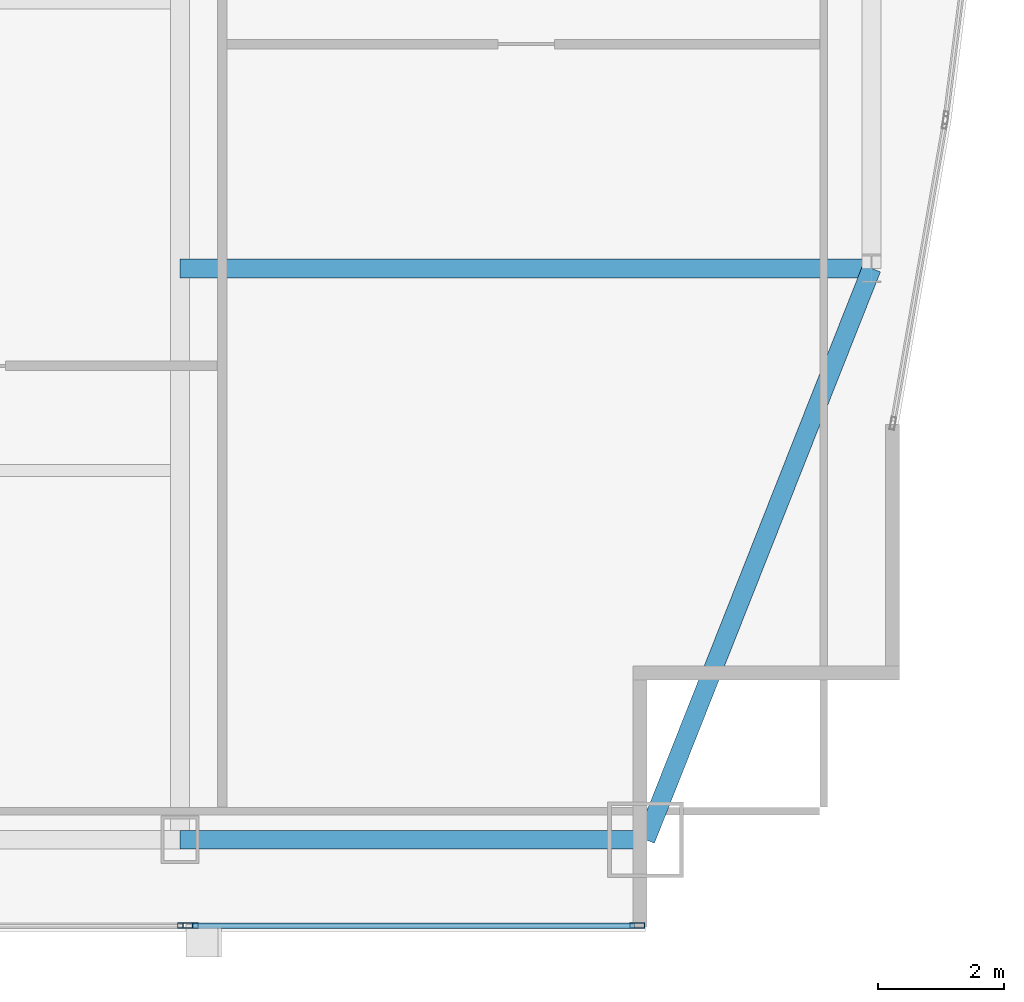
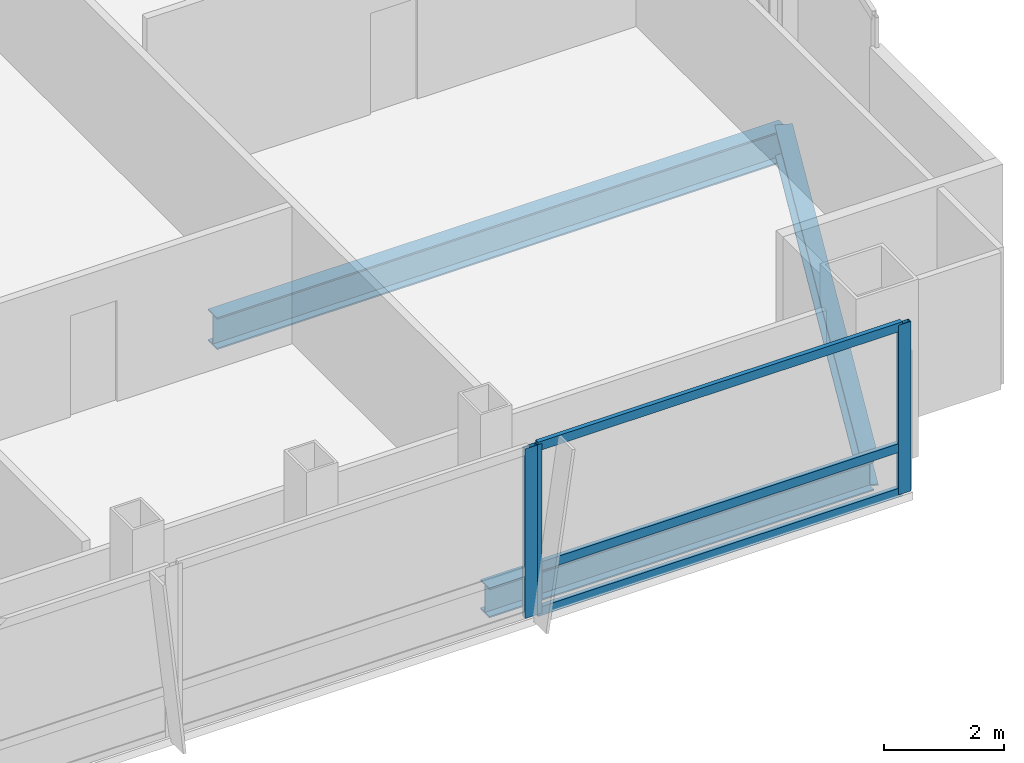
# One storey, part 14 of 30: 6 members, 3 beams, 2 elements without a shape of their own.
"""IFC4 building model written with IfcOpenShell, lengths in metres."""

from ifc_helpers import new_model, si_unit, direction, frame, origin, origin_2d, place, context, subcontext, project, spatial, hollow_rectangle, i_section, extrude, material, material_profile, profile_set, type_object, element, aggregate, save


model = new_model("IFC4")

# Units and contexts
model_context = context("Model", 3, precision=1e-05, world=origin(), true_north=direction((0.0, 1.0)))
body_context = subcontext(model_context, "Body", "Model", "MODEL_VIEW")
ifc_project = project(units=[si_unit("LENGTHUNIT", "METRE"), si_unit("AREAUNIT", "SQUARE_METRE"), si_unit("VOLUMEUNIT", "CUBIC_METRE"), si_unit("PLANEANGLEUNIT", "RADIAN"), si_unit("MASSUNIT", "GRAM", prefix="KILO")], contexts=[model_context])

# Site, building, storey
site_placement = place(None, origin())
site = spatial("IfcSite", under=ifc_project, at=site_placement, CompositionType="ELEMENT")
building_placement = place(site_placement, origin())
building = spatial("IfcBuilding", under=site, at=building_placement, Name="Khoronbel Lancet Exchange", CompositionType="ELEMENT")
storey_placement = place(building_placement, frame((0.0, 0.0, 224.60009765625)))
storey = spatial("IfcBuildingStorey", under=building, at=storey_placement, Name="L57", CompositionType="ELEMENT", Elevation=224.60009765625)

# Beams
ifc_material_1 = material(Name="Steel S355", Category="steel")
ifc_material_profile_1 = material_profile(ifc_material_1, i_section(OverallWidth=0.300048828125, OverallDepth=0.64990234375, WebThickness=0.01611328125, FlangeThickness=0.031005859375, at=origin_2d()), Name="HEB 650")
ifc_profile_set_1 = profile_set([ifc_material_profile_1], Name="Steel S355")
beam_type_1 = type_object("IfcBeamType", Name="BM-BG4", PredefinedType="BEAM", material=ifc_profile_set_1)
beam_1_placement = place(storey_placement, frame((54.675048828125, 19.199951171875, -0.485107421875), z_axis=(1.0, 0.0, 0.0), x_axis=(0.0, 1.0, 0.0)))
element("IfcBeam", 1, at=beam_1_placement, inside=storey, type_object=beam_type_1, Name="Level L57 east lens tie girder LG1E", PredefinedType="BEAM", context=body_context, shape_type="SweptSolid", body=[
    extrude(i_section(OverallWidth=0.300048828125, OverallDepth=0.64990234375, WebThickness=0.01611328125, FlangeThickness=0.031005859375, at=origin_2d()), origin(), (0.0, 0.0, 1.0), 10.954833984375),
])
ifc_material_profile_2 = material_profile(ifc_material_1, i_section(OverallWidth=0.300048828125, OverallDepth=0.60009765625, WebThickness=0.015380859375, FlangeThickness=0.030029296875, at=origin_2d()), Name="HEB 600")
ifc_profile_set_2 = profile_set([ifc_material_profile_2], Name="Steel S355")
beam_type_2 = type_object("IfcBeamType", Name="BM-BSP2", PredefinedType="SPANDREL", material=ifc_profile_set_2)
beam_2_placement = place(storey_placement, frame((54.675048828125, 10.14990234375, -0.460205078125), z_axis=(1.0, 0.0, 0.0), x_axis=(0.0, 1.0, 0.0)))
element("IfcBeam", 2, at=beam_2_placement, inside=storey, type_object=beam_type_2, Name="Level L57 perimeter spandrel beam SP09", PredefinedType="SPANDREL", context=body_context, shape_type="SweptSolid", body=[
    extrude(i_section(OverallWidth=0.300048828125, OverallDepth=0.60009765625, WebThickness=0.015380859375, FlangeThickness=0.030029296875, at=origin_2d()), origin(), (0.0, 0.0, 1.0), 7.375),
])
beam_3_placement = place(storey_placement, frame((62.050048828125, 10.14990234375, -0.460205078125), z_axis=(0.367828403855, 0.929893684954, 0.0), x_axis=(-0.929893684954, 0.367828403855, 0.0)))
element("IfcBeam", 3, at=beam_3_placement, inside=storey, type_object=beam_type_2, Name="Level L57 perimeter spandrel beam SP10", PredefinedType="SPANDREL", context=body_context, shape_type="SweptSolid", body=[
    extrude(i_section(OverallWidth=0.300048828125, OverallDepth=0.60009765625, WebThickness=0.015380859375, FlangeThickness=0.030029296875, at=origin_2d()), origin(), (0.0, 0.0, 1.0), 9.732421875),
])

# Curtain wall, member
ifc_material_2 = material(Name="Low-E Solar Control Insulating Glass", Category="glass")
curtain_wall_type = type_object("IfcCurtainWallType", Name="CW-3", PredefinedType="NOTDEFINED", material=ifc_material_2)
curtain_wall_1_placement = place(storey_placement, origin())
curtain_wall_1 = element("IfcCurtainWall", 4, at=curtain_wall_1_placement, inside=storey, type_object=curtain_wall_type, Name="Unitised curtain wall CW-L57-SEB", PredefinedType="NOTDEFINED")
ifc_material_3 = material(Name="Bronze-Anodised Aluminium 6063-T6", Category="aluminium")
ifc_material_profile_3 = material_profile(ifc_material_3, hollow_rectangle(XDim=0.0849609375, YDim=0.239990234375, WallThickness=0.006103515625, at=origin_2d()), Name="ALU MULLION 85x240")
ifc_profile_set_3 = profile_set([ifc_material_profile_3], Name="Bronze-Anodised Aluminium 6063-T6")
member_type_1 = type_object("IfcMemberType", Name="MEM-CWM1", PredefinedType="MULLION", material=ifc_profile_set_3)
member_1_placement = place(storey_placement, frame((54.757568359375, 8.7900390625, 0.0), z_axis=(0.0, 0.0, 1.0), x_axis=(0.0, 1.0, 0.0)))
member_1 = element("IfcMember", 5, at=member_1_placement, type_object=member_type_1, Name="CW3 mullion 2", PredefinedType="MULLION", context=body_context, shape_type="SweptSolid", body=[
    extrude(hollow_rectangle(XDim=0.0849609375, YDim=0.239990234375, WallThickness=0.006103515625, at=origin_2d()), origin(), (0.0, 0.0, 1.0), 3.43994140625),
])
aggregate(curtain_wall_1, [member_1])

# Curtain wall, members
curtain_wall_2_placement = place(storey_placement, origin())
curtain_wall_2 = element("IfcCurtainWall", 6, at=curtain_wall_2_placement, inside=storey, type_object=curtain_wall_type, Name="Unitised curtain wall CW-L57-SEV", PredefinedType="NOTDEFINED")
member_2_placement = place(storey_placement, frame((54.842529296875, 8.7900390625, 0.0), z_axis=(0.0, 0.0, 1.0), x_axis=(0.0, 1.0, 0.0)))
member_2 = element("IfcMember", 7, at=member_2_placement, type_object=member_type_1, Name="CW3 mullion 1", PredefinedType="MULLION", context=body_context, shape_type="SweptSolid", body=[
    extrude(hollow_rectangle(XDim=0.0849609375, YDim=0.239990234375, WallThickness=0.006103515625, at=origin_2d()), origin(), (0.0, 0.0, 1.0), 3.43994140625),
])
member_3_placement = place(storey_placement, frame((61.91748046875, 8.7900390625, 0.0), z_axis=(0.0, 0.0, 1.0), x_axis=(0.0, 1.0, 0.0)))
member_3 = element("IfcMember", 8, at=member_3_placement, type_object=member_type_1, Name="CW3 mullion 2", PredefinedType="MULLION", context=body_context, shape_type="SweptSolid", body=[
    extrude(hollow_rectangle(XDim=0.0849609375, YDim=0.239990234375, WallThickness=0.006103515625, at=origin_2d()), origin(), (0.0, 0.0, 1.0), 3.43994140625),
])
ifc_material_profile_4 = material_profile(ifc_material_3, hollow_rectangle(XDim=0.0849609375, YDim=0.179931640625, WallThickness=0.0048828125, at=origin_2d()), Name="ALU TRANSOM 85x180")
ifc_profile_set_4 = profile_set([ifc_material_profile_4], Name="Bronze-Anodised Aluminium 6063-T6")
member_type_2 = type_object("IfcMemberType", Name="MEM-CWT1", PredefinedType="USERDEFINED", material=ifc_profile_set_4)
member_4_placement = place(storey_placement, frame((54.885009765625, 8.7900390625, 0.04248046875), z_axis=(1.0, 0.0, 0.0), x_axis=(0.0, 1.0, 0.0)))
member_4 = element("IfcMember", 9, at=member_4_placement, type_object=member_type_2, Name="CW3 transom 1.1", ObjectType="TRANSOM", PredefinedType="USERDEFINED", context=body_context, shape_type="SweptSolid", body=[
    extrude(hollow_rectangle(XDim=0.0849609375, YDim=0.179931640625, WallThickness=0.0048828125, at=origin_2d()), origin(), (0.0, 0.0, 1.0), 6.989990234375),
])
member_5_placement = place(storey_placement, frame((54.885009765625, 8.7900390625, 0.949951171875), z_axis=(1.0, 0.0, 0.0), x_axis=(0.0, 1.0, 0.0)))
member_5 = element("IfcMember", 10, at=member_5_placement, type_object=member_type_2, Name="CW3 transom 1.2", ObjectType="TRANSOM", PredefinedType="USERDEFINED", context=body_context, shape_type="SweptSolid", body=[
    extrude(hollow_rectangle(XDim=0.0849609375, YDim=0.179931640625, WallThickness=0.0048828125, at=origin_2d()), origin(), (0.0, 0.0, 1.0), 6.989990234375),
])
member_6_placement = place(storey_placement, frame((54.885009765625, 8.7900390625, 3.3974609375), z_axis=(1.0, 0.0, 0.0), x_axis=(0.0, 1.0, 0.0)))
member_6 = element("IfcMember", 11, at=member_6_placement, type_object=member_type_2, Name="CW3 transom 1.3", ObjectType="TRANSOM", PredefinedType="USERDEFINED", context=body_context, shape_type="SweptSolid", body=[
    extrude(hollow_rectangle(XDim=0.0849609375, YDim=0.179931640625, WallThickness=0.0048828125, at=origin_2d()), origin(), (0.0, 0.0, 1.0), 6.989990234375),
])
aggregate(curtain_wall_2, [member_2, member_3, member_4, member_5, member_6])

save(model, "model.ifc")
